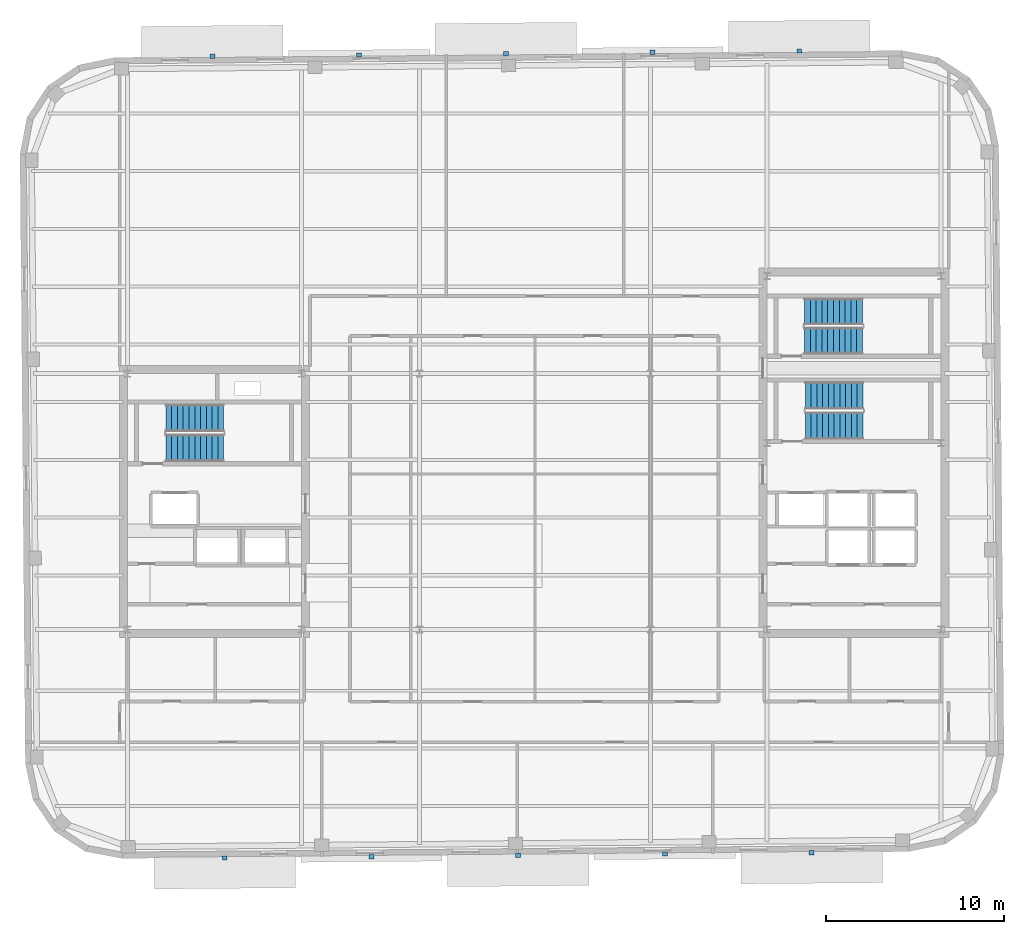
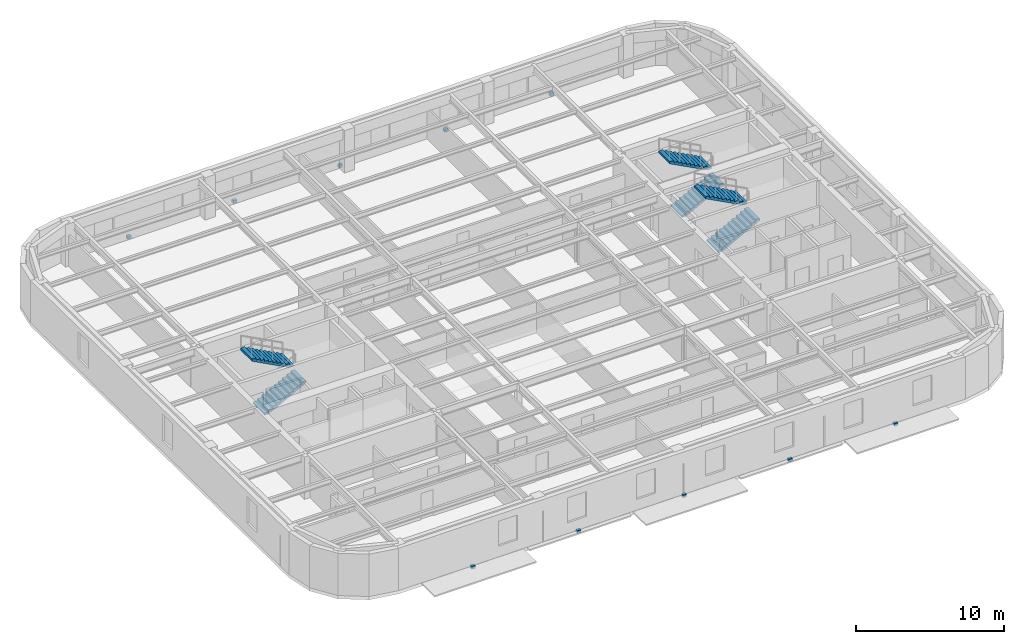
# One storey, part 10 of 14: 10 discrete accessories, 6 stair flights, 3 elements without a shape of their own.
"""IFC4 building model written with IfcOpenShell, lengths in metres."""

from ifc_helpers import new_model, si_unit, direction, frame, origin, origin_2d, place, context, subcontext, project, spatial, polyline, rectangle, outline, extrude, material, type_object, element, aggregate, save


model = new_model("IFC4")

# Units and contexts
model_context = context("Model", 3, precision=1e-05, world=origin(), true_north=direction((0.0, 1.0)))
body_context = subcontext(model_context, "Body", "Model", "MODEL_VIEW")
ifc_project = project(units=[si_unit("LENGTHUNIT", "METRE"), si_unit("AREAUNIT", "SQUARE_METRE"), si_unit("VOLUMEUNIT", "CUBIC_METRE"), si_unit("PLANEANGLEUNIT", "RADIAN"), si_unit("MASSUNIT", "GRAM", prefix="KILO")], contexts=[model_context])

# Site, building, storey
site_placement = place(None, origin())
site = spatial("IfcSite", under=ifc_project, at=site_placement, CompositionType="ELEMENT")
building_placement = place(site_placement, origin())
building = spatial("IfcBuilding", under=site, at=building_placement, Name="Kolvaren Arena Tower", CompositionType="ELEMENT")
storey_placement = place(building_placement, frame((0.0, 0.0, 289.89990234375)))
storey = spatial("IfcBuildingStorey", under=building, at=storey_placement, Name="L71", CompositionType="ELEMENT", Elevation=289.89990234375)

# Stair, stair flights
ifc_material_1 = material(Name="Concrete 45 MPa", Category="concrete")
stair_type_1 = type_object("IfcStairType", Name="STAIR-CORE-150", PredefinedType="HALF_TURN_STAIR", material=ifc_material_1)
stair_1_placement = place(storey_placement, origin())
stair_1 = element("IfcStair", 1, at=stair_1_placement, inside=storey, type_object=stair_type_1, Name="L71 ST-E2", PredefinedType="HALF_TURN_STAIR")
stair_flight_type_1 = type_object("IfcStairFlightType", Name="FLT-150", PredefinedType="STRAIGHT", material=ifc_material_1)
stair_flight_1_placement = place(storey_placement, frame((52.679931640625, 35.699951171875, 0.0), z_axis=(0.0, 0.0, 1.0), x_axis=(1.0, 0.0, 0.0)))
stair_flight_1 = element("IfcStairFlight", 2, at=stair_flight_1_placement, type_object=stair_flight_type_1, Name="ST-E2 flight 1", NumberOfRisers=11, NumberOfTreads=10, PredefinedType="STRAIGHT", RiserHeight=0.170454545, TreadLength=0.324, context=body_context, shape_type="SweptSolid", body=[
    extrude(outline(polyline([(0.0, 0.0), (0.0, 0.17041015625), (0.323974609375, 0.17041015625), (0.323974609375, 0.3408203125), (0.64794921875, 0.3408203125), (0.64794921875, 0.511474609375), (0.971923828125, 0.511474609375), (0.971923828125, 0.681884765625), (1.2958984375, 0.681884765625), (1.2958984375, 0.852294921875), (1.6201171875, 0.852294921875), (1.6201171875, 1.022705078125), (1.944091796875, 1.022705078125), (1.944091796875, 1.193115234375), (2.26806640625, 1.193115234375), (2.26806640625, 1.363525390625), (2.592041015625, 1.363525390625), (2.592041015625, 1.5341796875), (2.916015625, 1.5341796875), (2.916015625, 1.70458984375), (3.239990234375, 1.70458984375), (3.239990234375, 1.875), (3.239990234375, 1.53515625), (0.322021484375, 0.0), (0.0, 0.0)])), frame((0.0, 0.75, 0.0), z_axis=(0.0, -1.0, 0.0), x_axis=(1.0, 0.0, 0.0)), (0.0, 0.0, 1.0), 1.5),
])
stair_flight_2_placement = place(storey_placement, frame((55.919921875, 37.35009765625, 1.875), z_axis=(0.0, 0.0, 1.0), x_axis=(-1.0, 0.0, 0.0)))
stair_flight_2 = element("IfcStairFlight", 3, at=stair_flight_2_placement, type_object=stair_flight_type_1, Name="ST-E2 flight 2", NumberOfRisers=11, NumberOfTreads=10, PredefinedType="STRAIGHT", RiserHeight=0.170454545, TreadLength=0.324, context=body_context, shape_type="SweptSolid", body=[
    extrude(outline(polyline([(0.0, 0.0), (0.0, 0.17041015625), (0.323974609375, 0.17041015625), (0.323974609375, 0.3408203125), (0.64794921875, 0.3408203125), (0.64794921875, 0.511474609375), (0.971923828125, 0.511474609375), (0.971923828125, 0.681884765625), (1.2958984375, 0.681884765625), (1.2958984375, 0.852294921875), (1.6201171875, 0.852294921875), (1.6201171875, 1.022705078125), (1.944091796875, 1.022705078125), (1.944091796875, 1.193115234375), (2.26806640625, 1.193115234375), (2.26806640625, 1.363525390625), (2.592041015625, 1.363525390625), (2.592041015625, 1.5341796875), (2.916015625, 1.5341796875), (2.916015625, 1.70458984375), (3.239990234375, 1.70458984375), (3.239990234375, 1.875), (3.239990234375, 1.53515625), (0.322021484375, 0.0), (0.0, 0.0)])), frame((0.0, 0.75, 0.0), z_axis=(0.0, -1.0, 0.0), x_axis=(1.0, 0.0, 0.0)), (0.0, 0.0, 1.0), 1.5),
])
aggregate(stair_1, [stair_flight_1, stair_flight_2])

stair_type_2 = type_object("IfcStairType", Name="STAIR-CORE-165", PredefinedType="HALF_TURN_STAIR", material=ifc_material_1)
stair_2_placement = place(storey_placement, origin())
stair_2 = element("IfcStair", 4, at=stair_2_placement, inside=storey, type_object=stair_type_2, Name="L71 ST-W1", PredefinedType="HALF_TURN_STAIR")
stair_flight_type_2 = type_object("IfcStairFlightType", Name="FLT-165", PredefinedType="STRAIGHT", material=ifc_material_1)
stair_flight_3_placement = place(storey_placement, frame((16.719970703125, 29.669921875, 0.0), z_axis=(0.0, 0.0, 1.0), x_axis=(1.0, 0.0, 0.0)))
stair_flight_3 = element("IfcStairFlight", 5, at=stair_flight_3_placement, type_object=stair_flight_type_2, Name="ST-W1 flight 1", NumberOfRisers=11, NumberOfTreads=10, PredefinedType="STRAIGHT", RiserHeight=0.170454545, TreadLength=0.324, context=body_context, shape_type="SweptSolid", body=[
    extrude(outline(polyline([(0.0, 0.0), (0.0, 0.17041015625), (0.323974609375, 0.17041015625), (0.323974609375, 0.3408203125), (0.64794921875, 0.3408203125), (0.64794921875, 0.511474609375), (0.971923828125, 0.511474609375), (0.971923828125, 0.681884765625), (1.2958984375, 0.681884765625), (1.2958984375, 0.852294921875), (1.6201171875, 0.852294921875), (1.6201171875, 1.022705078125), (1.944091796875, 1.022705078125), (1.944091796875, 1.193115234375), (2.26806640625, 1.193115234375), (2.26806640625, 1.363525390625), (2.592041015625, 1.363525390625), (2.592041015625, 1.5341796875), (2.916015625, 1.5341796875), (2.916015625, 1.70458984375), (3.239990234375, 1.70458984375), (3.239990234375, 1.875), (3.239990234375, 1.53515625), (0.322021484375, 0.0), (0.0, 0.0)])), frame((0.0, 0.77001953125, 0.0), z_axis=(0.0, -1.0, 0.0), x_axis=(1.0, 0.0, 0.0)), (0.0, 0.0, 1.0), 1.5400390625),
])
stair_flight_4_placement = place(storey_placement, frame((19.9599609375, 31.360107421875, 1.875), z_axis=(0.0, 0.0, 1.0), x_axis=(-1.0, 0.0, 0.0)))
stair_flight_4 = element("IfcStairFlight", 6, at=stair_flight_4_placement, type_object=stair_flight_type_2, Name="ST-W1 flight 2", NumberOfRisers=11, NumberOfTreads=10, PredefinedType="STRAIGHT", RiserHeight=0.170454545, TreadLength=0.324, context=body_context, shape_type="SweptSolid", body=[
    extrude(outline(polyline([(0.0, 0.0), (0.0, 0.17041015625), (0.323974609375, 0.17041015625), (0.323974609375, 0.3408203125), (0.64794921875, 0.3408203125), (0.64794921875, 0.511474609375), (0.971923828125, 0.511474609375), (0.971923828125, 0.681884765625), (1.2958984375, 0.681884765625), (1.2958984375, 0.852294921875), (1.6201171875, 0.852294921875), (1.6201171875, 1.022705078125), (1.944091796875, 1.022705078125), (1.944091796875, 1.193115234375), (2.26806640625, 1.193115234375), (2.26806640625, 1.363525390625), (2.592041015625, 1.363525390625), (2.592041015625, 1.5341796875), (2.916015625, 1.5341796875), (2.916015625, 1.70458984375), (3.239990234375, 1.70458984375), (3.239990234375, 1.875), (3.239990234375, 1.53515625), (0.322021484375, 0.0), (0.0, 0.0)])), frame((0.0, 0.77001953125, 0.0), z_axis=(0.0, -1.0, 0.0), x_axis=(1.0, 0.0, 0.0)), (0.0, 0.0, 1.0), 1.5400390625),
])
aggregate(stair_2, [stair_flight_3, stair_flight_4])

stair_3_placement = place(storey_placement, origin())
stair_3 = element("IfcStair", 7, at=stair_3_placement, inside=storey, type_object=stair_type_2, Name="L71 ST-E1", PredefinedType="HALF_TURN_STAIR")
stair_flight_5_placement = place(storey_placement, frame((52.719970703125, 30.919921875, 0.0), z_axis=(0.0, 0.0, 1.0), x_axis=(1.0, 0.0, 0.0)))
stair_flight_5 = element("IfcStairFlight", 8, at=stair_flight_5_placement, type_object=stair_flight_type_2, Name="ST-E1 flight 1", NumberOfRisers=11, NumberOfTreads=10, PredefinedType="STRAIGHT", RiserHeight=0.170454545, TreadLength=0.324, context=body_context, shape_type="SweptSolid", body=[
    extrude(outline(polyline([(0.0, 0.0), (0.0, 0.17041015625), (0.323974609375, 0.17041015625), (0.323974609375, 0.3408203125), (0.64794921875, 0.3408203125), (0.64794921875, 0.511474609375), (0.971923828125, 0.511474609375), (0.971923828125, 0.681884765625), (1.2958984375, 0.681884765625), (1.2958984375, 0.852294921875), (1.6201171875, 0.852294921875), (1.6201171875, 1.022705078125), (1.944091796875, 1.022705078125), (1.944091796875, 1.193115234375), (2.26806640625, 1.193115234375), (2.26806640625, 1.363525390625), (2.592041015625, 1.363525390625), (2.592041015625, 1.5341796875), (2.916015625, 1.5341796875), (2.916015625, 1.70458984375), (3.239990234375, 1.70458984375), (3.239990234375, 1.875), (3.239990234375, 1.53515625), (0.322021484375, 0.0), (0.0, 0.0)])), frame((0.0, 0.77001953125, 0.0), z_axis=(0.0, -1.0, 0.0), x_axis=(1.0, 0.0, 0.0)), (0.0, 0.0, 1.0), 1.5400390625),
])
stair_flight_6_placement = place(storey_placement, frame((55.9599609375, 32.610107421875, 1.875), z_axis=(0.0, 0.0, 1.0), x_axis=(-1.0, 0.0, 0.0)))
stair_flight_6 = element("IfcStairFlight", 9, at=stair_flight_6_placement, type_object=stair_flight_type_2, Name="ST-E1 flight 2", NumberOfRisers=11, NumberOfTreads=10, PredefinedType="STRAIGHT", RiserHeight=0.170454545, TreadLength=0.324, context=body_context, shape_type="SweptSolid", body=[
    extrude(outline(polyline([(0.0, 0.0), (0.0, 0.17041015625), (0.323974609375, 0.17041015625), (0.323974609375, 0.3408203125), (0.64794921875, 0.3408203125), (0.64794921875, 0.511474609375), (0.971923828125, 0.511474609375), (0.971923828125, 0.681884765625), (1.2958984375, 0.681884765625), (1.2958984375, 0.852294921875), (1.6201171875, 0.852294921875), (1.6201171875, 1.022705078125), (1.944091796875, 1.022705078125), (1.944091796875, 1.193115234375), (2.26806640625, 1.193115234375), (2.26806640625, 1.363525390625), (2.592041015625, 1.363525390625), (2.592041015625, 1.5341796875), (2.916015625, 1.5341796875), (2.916015625, 1.70458984375), (3.239990234375, 1.70458984375), (3.239990234375, 1.875), (3.239990234375, 1.53515625), (0.322021484375, 0.0), (0.0, 0.0)])), frame((0.0, 0.77001953125, 0.0), z_axis=(0.0, -1.0, 0.0), x_axis=(1.0, 0.0, 0.0)), (0.0, 0.0, 1.0), 1.5400390625),
])
aggregate(stair_3, [stair_flight_5, stair_flight_6])

# Discrete accessories
ifc_material_2 = material(Name="Stainless steel facade support bracket", Category="steel")
discrete_accessory_type = type_object("IfcDiscreteAccessoryType", Name="ACC-BRKT-1", PredefinedType="BRACKET", material=ifc_material_2)
for number, where, z_axis, x_axis, name in (
    (10, (19.333740234375, 51.7236328125, -0.1796875), (0.0, 0.0, 1.0), (0.999961923064, 0.008726535498, 0.0), "Sunshade Support Bracket (L71)"),
    (11, (27.593505859375, 51.795654296875, -0.1796875), (0.0, 0.0, 1.0), (0.999961923064, 0.008726535498, 0.0), "Sunshade Support Bracket (L71)"),
    (12, (35.85302734375, 51.867919921875, -0.1796875), (0.0, 0.0, 1.0), (0.999961923064, 0.008726535498, 0.0), "Sunshade Support Bracket (L71)"),
    (13, (44.11279296875, 51.93994140625, -0.1796875), (0.0, 0.0, 1.0), (0.999961923064, 0.008726535498, 0.0), "Sunshade Support Bracket (L71)"),
    (14, (52.372314453125, 52.011962890625, -0.1796875), (0.0, 0.0, 1.0), (0.999961923064, 0.008726535498, 0.0), "Sunshade Support Bracket (L71)"),
    (15, (53.06640625, 6.87646484375, -0.1796875), (0.0, 0.0, 1.0), (-0.999961923064, -0.008726535498, 0.0), "Sunshade Support Bracket (L71)"),
    (16, (44.806640625, 6.80419921875, -0.1796875), (0.0, 0.0, 1.0), (-0.999961923064, -0.008726535498, 0.0), "Sunshade Support Bracket (L71)"),
    (17, (36.546875, 6.732177734375, -0.1796875), (0.0, 0.0, 1.0), (-0.999961923064, -0.008726535498, 0.0), "Sunshade Support Bracket (L71)"),
    (18, (28.287109375, 6.66015625, -0.1796875), (0.0, 0.0, 1.0), (-0.999961923064, -0.008726535498, 0.0), "Sunshade Support Bracket (L71)"),
    (19, (20.027587890625, 6.587890625, -0.1796875), (0.0, 0.0, 1.0), (-0.999961923064, -0.008726535498, 0.0), "Sunshade Support Bracket (L71)"),
):
    element("IfcDiscreteAccessory", number, at=place(storey_placement, frame(where, z_axis=z_axis, x_axis=x_axis)), inside=storey, type_object=discrete_accessory_type, Name=name, PredefinedType="BRACKET", context=body_context, shape_type="SweptSolid", body=[
        extrude(rectangle(XDim=0.280029296875, YDim=0.239990234375, at=origin_2d()), origin(), (0.0, 0.0, 1.0), 0.239990234375),
    ])

save(model, "model.ifc")
